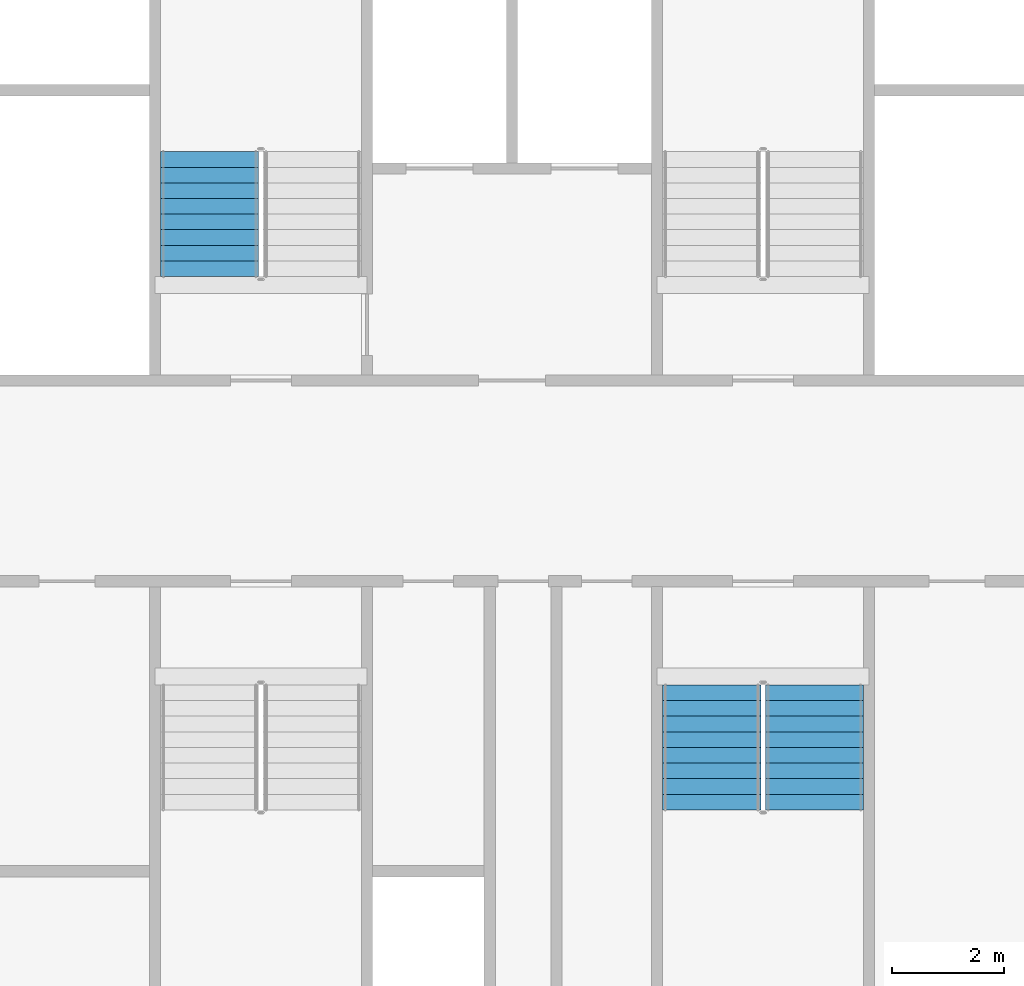
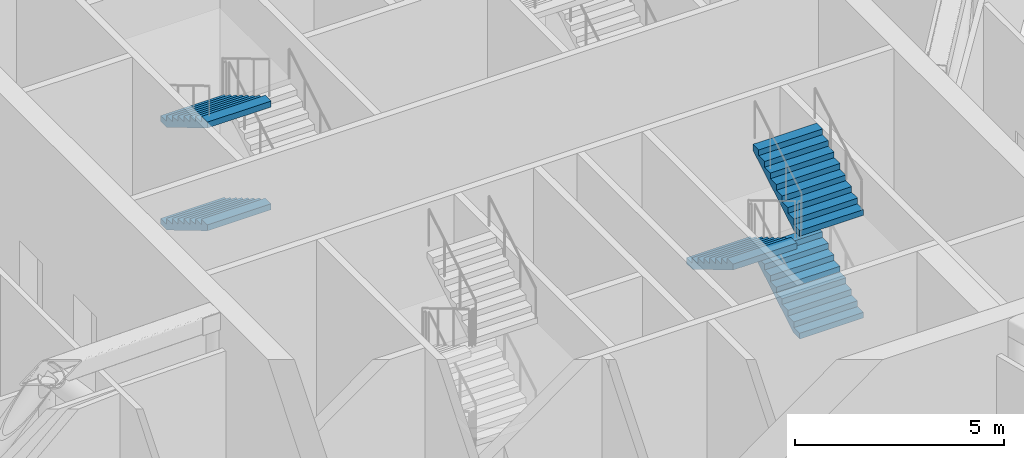
# One storey, part 25 of 33: 5 stair flights, 2 elements without a shape of their own.
"""IFC4 building model written with IfcOpenShell, lengths in metres."""

from ifc_helpers import new_model, si_unit, direction, frame, origin, place, context, subcontext, project, spatial, faceted_brep, material, type_object, element, aggregate, save


model = new_model("IFC4")

# Units and contexts
model_context = context("Model", 3, precision=1e-05, world=origin(), true_north=direction((0.0, 1.0)))
body_context = subcontext(model_context, "Body", "Model", "MODEL_VIEW")
ifc_project = project(units=[si_unit("LENGTHUNIT", "METRE"), si_unit("AREAUNIT", "SQUARE_METRE"), si_unit("VOLUMEUNIT", "CUBIC_METRE"), si_unit("PLANEANGLEUNIT", "RADIAN"), si_unit("MASSUNIT", "GRAM", prefix="KILO")], contexts=[model_context])

# Site, building, storey
site_placement = place(None, origin())
site = spatial("IfcSite", under=ifc_project, at=site_placement, CompositionType="ELEMENT")
building_placement = place(site_placement, origin())
building = spatial("IfcBuilding", under=site, at=building_placement, Name="Tarsis Ring Headquarters", CompositionType="ELEMENT")
storey_placement = place(building_placement, frame((0.0, 0.0, 302.0)))
storey = spatial("IfcBuildingStorey", under=building, at=storey_placement, Name="L71", CompositionType="ELEMENT", Elevation=302.0)

# Stair, stair flights
ifc_material_1 = material(Name="Core stair 1760")
stair_type = type_object("IfcStairType", Name="Core stair 1760", PredefinedType="HALF_TURN_STAIR", material=ifc_material_1)
stair_1_placement = place(storey_placement, origin())
stair_1 = element("IfcStair", 1, at=stair_1_placement, inside=storey, type_object=stair_type, Name="L71 Firefighting stair", PredefinedType="HALF_TURN_STAIR")
ifc_material_2 = material(Name="Concrete C40/50", Category="concrete")
stair_flight_type = type_object("IfcStairFlightType", Name="Core stair flight 1760", PredefinedType="STRAIGHT", material=ifc_material_2)
stair_flight_1_placement = place(storey_placement, frame((-5.419921875, 5.89990234375, 1.5), z_axis=(0.0, 0.0, 1.0), x_axis=(0.0, -1.0, 0.0)))
stair_flight_1 = element("IfcStairFlight", 2, at=stair_flight_1_placement, type_object=stair_flight_type, Name="Stair ST1 flight 2", NumberOfRisers=9, NumberOfTreads=8, PredefinedType="STRAIGHT", RiserHeight=0.166666667, TreadLength=0.28, context=body_context, shape_type="Brep", body=[
    faceted_brep([(0.0, 0.8798828125, 0.0), (0.0, 0.8798828125, 0.166748046875), (0.280029296875, 0.8798828125, 0.166748046875), (0.280029296875, 0.8798828125, 0.333251953125), (0.56005859375, 0.8798828125, 0.333251953125), (0.56005859375, 0.8798828125, 0.5), (0.840087890625, 0.8798828125, 0.5), (0.840087890625, 0.8798828125, 0.666748046875), (1.1201171875, 0.8798828125, 0.666748046875), (1.1201171875, 0.8798828125, 0.833251953125), (1.39990234375, 0.8798828125, 0.833251953125), (1.39990234375, 0.8798828125, 1.0), (1.679931640625, 0.8798828125, 1.0), (1.679931640625, 0.8798828125, 1.166748046875), (1.9599609375, 0.8798828125, 1.166748046875), (1.9599609375, 0.8798828125, 1.333251953125), (2.239990234375, 0.8798828125, 1.333251953125), (2.239990234375, 0.8798828125, 1.158935546875), (0.29296875, 0.8798828125, 0.0), (0.29296875, -0.8798828125, 0.0), (2.239990234375, -0.8798828125, 1.158935546875), (2.239990234375, -0.8798828125, 1.333251953125), (1.9599609375, -0.8798828125, 1.333251953125), (1.9599609375, -0.8798828125, 1.166748046875), (1.679931640625, -0.8798828125, 1.166748046875), (1.679931640625, -0.8798828125, 1.0), (1.39990234375, -0.8798828125, 1.0), (1.39990234375, -0.8798828125, 0.833251953125), (1.1201171875, -0.8798828125, 0.833251953125), (1.1201171875, -0.8798828125, 0.666748046875), (0.840087890625, -0.8798828125, 0.666748046875), (0.840087890625, -0.8798828125, 0.5), (0.56005859375, -0.8798828125, 0.5), (0.56005859375, -0.8798828125, 0.333251953125), (0.280029296875, -0.8798828125, 0.333251953125), (0.280029296875, -0.8798828125, 0.166748046875), (0.0, -0.8798828125, 0.166748046875), (0.0, -0.8798828125, 0.0), (0.0, -0.43994140625, 0.166748046875), (0.0, -0.43994140625, 0.0), (0.0, 0.0, 0.166748046875), (0.0, 0.0, 0.0), (0.0, 0.43994140625, 0.166748046875), (0.0, 0.43994140625, 0.0), (0.280029296875, -0.43994140625, 0.166748046875), (0.280029296875, 0.0, 0.166748046875), (0.280029296875, 0.43994140625, 0.166748046875), (0.280029296875, -0.43994140625, 0.333251953125), (0.280029296875, 0.0, 0.333251953125), (0.280029296875, 0.43994140625, 0.333251953125), (0.56005859375, -0.43994140625, 0.333251953125), (0.56005859375, 0.0, 0.333251953125), (0.56005859375, 0.43994140625, 0.333251953125), (0.56005859375, -0.43994140625, 0.5), (0.56005859375, 0.0, 0.5), (0.56005859375, 0.43994140625, 0.5), (0.840087890625, -0.43994140625, 0.5), (0.840087890625, 0.0, 0.5), (0.840087890625, 0.43994140625, 0.5), (0.840087890625, -0.43994140625, 0.666748046875), (0.840087890625, 0.0, 0.666748046875), (0.840087890625, 0.43994140625, 0.666748046875), (1.1201171875, -0.43994140625, 0.666748046875), (1.1201171875, 0.0, 0.666748046875), (1.1201171875, 0.43994140625, 0.666748046875), (1.1201171875, -0.43994140625, 0.833251953125), (1.1201171875, 0.0, 0.833251953125), (1.1201171875, 0.43994140625, 0.833251953125), (1.39990234375, -0.43994140625, 0.833251953125), (1.39990234375, 0.0, 0.833251953125), (1.39990234375, 0.43994140625, 0.833251953125), (1.39990234375, -0.43994140625, 1.0), (1.39990234375, 0.0, 1.0), (1.39990234375, 0.43994140625, 1.0), (1.679931640625, -0.43994140625, 1.0), (1.679931640625, 0.0, 1.0), (1.679931640625, 0.43994140625, 1.0), (1.679931640625, -0.43994140625, 1.166748046875), (1.679931640625, 0.0, 1.166748046875), (1.679931640625, 0.43994140625, 1.166748046875), (1.9599609375, -0.43994140625, 1.166748046875), (1.9599609375, 0.0, 1.166748046875), (1.9599609375, 0.43994140625, 1.166748046875), (1.9599609375, -0.43994140625, 1.333251953125), (1.9599609375, 0.0, 1.333251953125), (1.9599609375, 0.43994140625, 1.333251953125), (2.239990234375, -0.43994140625, 1.333251953125), (2.239990234375, 0.0, 1.333251953125), (2.239990234375, 0.43994140625, 1.333251953125), (2.239990234375, -0.43994140625, 1.158935546875), (2.239990234375, 0.0, 1.158935546875), (2.239990234375, 0.43994140625, 1.158935546875), (0.29296875, -0.43994140625, 0.0), (0.29296875, 0.0, 0.0), (0.29296875, 0.43994140625, 0.0)], [[[0, 1, 2, 3, 4, 5, 6, 7, 8, 9, 10, 11, 12, 13, 14, 15, 16, 17, 18]], [[19, 20, 21, 22, 23, 24, 25, 26, 27, 28, 29, 30, 31, 32, 33, 34, 35, 36, 37]], [[37, 36, 38, 39]], [[39, 38, 40, 41]], [[41, 40, 42, 43]], [[43, 42, 1, 0]], [[36, 35, 44, 38]], [[38, 44, 45, 40]], [[40, 45, 46, 42]], [[42, 46, 2, 1]], [[35, 34, 47, 44]], [[44, 47, 48, 45]], [[45, 48, 49, 46]], [[46, 49, 3, 2]], [[34, 33, 50, 47]], [[47, 50, 51, 48]], [[48, 51, 52, 49]], [[49, 52, 4, 3]], [[33, 32, 53, 50]], [[50, 53, 54, 51]], [[51, 54, 55, 52]], [[52, 55, 5, 4]], [[32, 31, 56, 53]], [[53, 56, 57, 54]], [[54, 57, 58, 55]], [[55, 58, 6, 5]], [[31, 30, 59, 56]], [[56, 59, 60, 57]], [[57, 60, 61, 58]], [[58, 61, 7, 6]], [[30, 29, 62, 59]], [[59, 62, 63, 60]], [[60, 63, 64, 61]], [[61, 64, 8, 7]], [[29, 28, 65, 62]], [[62, 65, 66, 63]], [[63, 66, 67, 64]], [[64, 67, 9, 8]], [[28, 27, 68, 65]], [[65, 68, 69, 66]], [[66, 69, 70, 67]], [[67, 70, 10, 9]], [[27, 26, 71, 68]], [[68, 71, 72, 69]], [[69, 72, 73, 70]], [[70, 73, 11, 10]], [[26, 25, 74, 71]], [[71, 74, 75, 72]], [[72, 75, 76, 73]], [[73, 76, 12, 11]], [[25, 24, 77, 74]], [[74, 77, 78, 75]], [[75, 78, 79, 76]], [[76, 79, 13, 12]], [[24, 23, 80, 77]], [[77, 80, 81, 78]], [[78, 81, 82, 79]], [[79, 82, 14, 13]], [[23, 22, 83, 80]], [[80, 83, 84, 81]], [[81, 84, 85, 82]], [[82, 85, 15, 14]], [[22, 21, 86, 83]], [[83, 86, 87, 84]], [[84, 87, 88, 85]], [[85, 88, 16, 15]], [[21, 20, 89, 86]], [[86, 89, 90, 87]], [[87, 90, 91, 88]], [[88, 91, 17, 16]], [[20, 19, 92, 89]], [[89, 92, 93, 90]], [[90, 93, 94, 91]], [[91, 94, 18, 17]], [[19, 37, 39, 92]], [[92, 39, 41, 93]], [[93, 41, 43, 94]], [[94, 43, 0, 18]]]),
])
stair_flight_2_placement = place(storey_placement, frame((-5.419921875, 5.89990234375, 4.5), z_axis=(0.0, 0.0, 1.0), x_axis=(0.0, -1.0, 0.0)))
stair_flight_2 = element("IfcStairFlight", 3, at=stair_flight_2_placement, type_object=stair_flight_type, Name="Stair ST1 flight 4", NumberOfRisers=9, NumberOfTreads=8, PredefinedType="STRAIGHT", RiserHeight=0.166666667, TreadLength=0.28, context=body_context, shape_type="Brep", body=[
    faceted_brep([(0.0, 0.8798828125, 0.0), (0.0, 0.8798828125, 0.166748046875), (0.280029296875, 0.8798828125, 0.166748046875), (0.280029296875, 0.8798828125, 0.333251953125), (0.56005859375, 0.8798828125, 0.333251953125), (0.56005859375, 0.8798828125, 0.5), (0.840087890625, 0.8798828125, 0.5), (0.840087890625, 0.8798828125, 0.666748046875), (1.1201171875, 0.8798828125, 0.666748046875), (1.1201171875, 0.8798828125, 0.833251953125), (1.39990234375, 0.8798828125, 0.833251953125), (1.39990234375, 0.8798828125, 1.0), (1.679931640625, 0.8798828125, 1.0), (1.679931640625, 0.8798828125, 1.166748046875), (1.9599609375, 0.8798828125, 1.166748046875), (1.9599609375, 0.8798828125, 1.333251953125), (2.239990234375, 0.8798828125, 1.333251953125), (2.239990234375, 0.8798828125, 1.158935546875), (0.29296875, 0.8798828125, 0.0), (0.29296875, -0.8798828125, 0.0), (2.239990234375, -0.8798828125, 1.158935546875), (2.239990234375, -0.8798828125, 1.333251953125), (1.9599609375, -0.8798828125, 1.333251953125), (1.9599609375, -0.8798828125, 1.166748046875), (1.679931640625, -0.8798828125, 1.166748046875), (1.679931640625, -0.8798828125, 1.0), (1.39990234375, -0.8798828125, 1.0), (1.39990234375, -0.8798828125, 0.833251953125), (1.1201171875, -0.8798828125, 0.833251953125), (1.1201171875, -0.8798828125, 0.666748046875), (0.840087890625, -0.8798828125, 0.666748046875), (0.840087890625, -0.8798828125, 0.5), (0.56005859375, -0.8798828125, 0.5), (0.56005859375, -0.8798828125, 0.333251953125), (0.280029296875, -0.8798828125, 0.333251953125), (0.280029296875, -0.8798828125, 0.166748046875), (0.0, -0.8798828125, 0.166748046875), (0.0, -0.8798828125, 0.0), (0.0, -0.43994140625, 0.166748046875), (0.0, -0.43994140625, 0.0), (0.0, 0.0, 0.166748046875), (0.0, 0.0, 0.0), (0.0, 0.43994140625, 0.166748046875), (0.0, 0.43994140625, 0.0), (0.280029296875, -0.43994140625, 0.166748046875), (0.280029296875, 0.0, 0.166748046875), (0.280029296875, 0.43994140625, 0.166748046875), (0.280029296875, -0.43994140625, 0.333251953125), (0.280029296875, 0.0, 0.333251953125), (0.280029296875, 0.43994140625, 0.333251953125), (0.56005859375, -0.43994140625, 0.333251953125), (0.56005859375, 0.0, 0.333251953125), (0.56005859375, 0.43994140625, 0.333251953125), (0.56005859375, -0.43994140625, 0.5), (0.56005859375, 0.0, 0.5), (0.56005859375, 0.43994140625, 0.5), (0.840087890625, -0.43994140625, 0.5), (0.840087890625, 0.0, 0.5), (0.840087890625, 0.43994140625, 0.5), (0.840087890625, -0.43994140625, 0.666748046875), (0.840087890625, 0.0, 0.666748046875), (0.840087890625, 0.43994140625, 0.666748046875), (1.1201171875, -0.43994140625, 0.666748046875), (1.1201171875, 0.0, 0.666748046875), (1.1201171875, 0.43994140625, 0.666748046875), (1.1201171875, -0.43994140625, 0.833251953125), (1.1201171875, 0.0, 0.833251953125), (1.1201171875, 0.43994140625, 0.833251953125), (1.39990234375, -0.43994140625, 0.833251953125), (1.39990234375, 0.0, 0.833251953125), (1.39990234375, 0.43994140625, 0.833251953125), (1.39990234375, -0.43994140625, 1.0), (1.39990234375, 0.0, 1.0), (1.39990234375, 0.43994140625, 1.0), (1.679931640625, -0.43994140625, 1.0), (1.679931640625, 0.0, 1.0), (1.679931640625, 0.43994140625, 1.0), (1.679931640625, -0.43994140625, 1.166748046875), (1.679931640625, 0.0, 1.166748046875), (1.679931640625, 0.43994140625, 1.166748046875), (1.9599609375, -0.43994140625, 1.166748046875), (1.9599609375, 0.0, 1.166748046875), (1.9599609375, 0.43994140625, 1.166748046875), (1.9599609375, -0.43994140625, 1.333251953125), (1.9599609375, 0.0, 1.333251953125), (1.9599609375, 0.43994140625, 1.333251953125), (2.239990234375, -0.43994140625, 1.333251953125), (2.239990234375, 0.0, 1.333251953125), (2.239990234375, 0.43994140625, 1.333251953125), (2.239990234375, -0.43994140625, 1.158935546875), (2.239990234375, 0.0, 1.158935546875), (2.239990234375, 0.43994140625, 1.158935546875), (0.29296875, -0.43994140625, 0.0), (0.29296875, 0.0, 0.0), (0.29296875, 0.43994140625, 0.0)], [[[0, 1, 2, 3, 4, 5, 6, 7, 8, 9, 10, 11, 12, 13, 14, 15, 16, 17, 18]], [[19, 20, 21, 22, 23, 24, 25, 26, 27, 28, 29, 30, 31, 32, 33, 34, 35, 36, 37]], [[37, 36, 38, 39]], [[39, 38, 40, 41]], [[41, 40, 42, 43]], [[43, 42, 1, 0]], [[36, 35, 44, 38]], [[38, 44, 45, 40]], [[40, 45, 46, 42]], [[42, 46, 2, 1]], [[35, 34, 47, 44]], [[44, 47, 48, 45]], [[45, 48, 49, 46]], [[46, 49, 3, 2]], [[34, 33, 50, 47]], [[47, 50, 51, 48]], [[48, 51, 52, 49]], [[49, 52, 4, 3]], [[33, 32, 53, 50]], [[50, 53, 54, 51]], [[51, 54, 55, 52]], [[52, 55, 5, 4]], [[32, 31, 56, 53]], [[53, 56, 57, 54]], [[54, 57, 58, 55]], [[55, 58, 6, 5]], [[31, 30, 59, 56]], [[56, 59, 60, 57]], [[57, 60, 61, 58]], [[58, 61, 7, 6]], [[30, 29, 62, 59]], [[59, 62, 63, 60]], [[60, 63, 64, 61]], [[61, 64, 8, 7]], [[29, 28, 65, 62]], [[62, 65, 66, 63]], [[63, 66, 67, 64]], [[64, 67, 9, 8]], [[28, 27, 68, 65]], [[65, 68, 69, 66]], [[66, 69, 70, 67]], [[67, 70, 10, 9]], [[27, 26, 71, 68]], [[68, 71, 72, 69]], [[69, 72, 73, 70]], [[70, 73, 11, 10]], [[26, 25, 74, 71]], [[71, 74, 75, 72]], [[72, 75, 76, 73]], [[73, 76, 12, 11]], [[25, 24, 77, 74]], [[74, 77, 78, 75]], [[75, 78, 79, 76]], [[76, 79, 13, 12]], [[24, 23, 80, 77]], [[77, 80, 81, 78]], [[78, 81, 82, 79]], [[79, 82, 14, 13]], [[23, 22, 83, 80]], [[80, 83, 84, 81]], [[81, 84, 85, 82]], [[82, 85, 15, 14]], [[22, 21, 86, 83]], [[83, 86, 87, 84]], [[84, 87, 88, 85]], [[85, 88, 16, 15]], [[21, 20, 89, 86]], [[86, 89, 90, 87]], [[87, 90, 91, 88]], [[88, 91, 17, 16]], [[20, 19, 92, 89]], [[89, 92, 93, 90]], [[90, 93, 94, 91]], [[91, 94, 18, 17]], [[19, 37, 39, 92]], [[92, 39, 41, 93]], [[93, 41, 43, 94]], [[94, 43, 0, 18]]]),
])
aggregate(stair_1, [stair_flight_1, stair_flight_2])

stair_2_placement = place(storey_placement, origin())
stair_2 = element("IfcStair", 4, at=stair_2_placement, inside=storey, type_object=stair_type, Name="L71 Exit stair D", PredefinedType="HALF_TURN_STAIR")
stair_flight_3_placement = place(storey_placement, frame((5.419921875, -5.89990234375, 1.5), z_axis=(0.0, 0.0, 1.0), x_axis=(0.0, 1.0, 0.0)))
stair_flight_3 = element("IfcStairFlight", 5, at=stair_flight_3_placement, type_object=stair_flight_type, Name="Stair ST4 flight 2", NumberOfRisers=9, NumberOfTreads=8, PredefinedType="STRAIGHT", RiserHeight=0.166666667, TreadLength=0.28, context=body_context, shape_type="Brep", body=[
    faceted_brep([(0.0, 0.8798828125, 0.0), (0.0, 0.8798828125, 0.166748046875), (0.280029296875, 0.8798828125, 0.166748046875), (0.280029296875, 0.8798828125, 0.333251953125), (0.56005859375, 0.8798828125, 0.333251953125), (0.56005859375, 0.8798828125, 0.5), (0.840087890625, 0.8798828125, 0.5), (0.840087890625, 0.8798828125, 0.666748046875), (1.1201171875, 0.8798828125, 0.666748046875), (1.1201171875, 0.8798828125, 0.833251953125), (1.39990234375, 0.8798828125, 0.833251953125), (1.39990234375, 0.8798828125, 1.0), (1.679931640625, 0.8798828125, 1.0), (1.679931640625, 0.8798828125, 1.166748046875), (1.9599609375, 0.8798828125, 1.166748046875), (1.9599609375, 0.8798828125, 1.333251953125), (2.239990234375, 0.8798828125, 1.333251953125), (2.239990234375, 0.8798828125, 1.158935546875), (0.29296875, 0.8798828125, 0.0), (0.29296875, -0.8798828125, 0.0), (2.239990234375, -0.8798828125, 1.158935546875), (2.239990234375, -0.8798828125, 1.333251953125), (1.9599609375, -0.8798828125, 1.333251953125), (1.9599609375, -0.8798828125, 1.166748046875), (1.679931640625, -0.8798828125, 1.166748046875), (1.679931640625, -0.8798828125, 1.0), (1.39990234375, -0.8798828125, 1.0), (1.39990234375, -0.8798828125, 0.833251953125), (1.1201171875, -0.8798828125, 0.833251953125), (1.1201171875, -0.8798828125, 0.666748046875), (0.840087890625, -0.8798828125, 0.666748046875), (0.840087890625, -0.8798828125, 0.5), (0.56005859375, -0.8798828125, 0.5), (0.56005859375, -0.8798828125, 0.333251953125), (0.280029296875, -0.8798828125, 0.333251953125), (0.280029296875, -0.8798828125, 0.166748046875), (0.0, -0.8798828125, 0.166748046875), (0.0, -0.8798828125, 0.0), (0.0, -0.43994140625, 0.166748046875), (0.0, -0.43994140625, 0.0), (0.0, 0.0, 0.166748046875), (0.0, 0.0, 0.0), (0.0, 0.43994140625, 0.166748046875), (0.0, 0.43994140625, 0.0), (0.280029296875, -0.43994140625, 0.166748046875), (0.280029296875, 0.0, 0.166748046875), (0.280029296875, 0.43994140625, 0.166748046875), (0.280029296875, -0.43994140625, 0.333251953125), (0.280029296875, 0.0, 0.333251953125), (0.280029296875, 0.43994140625, 0.333251953125), (0.56005859375, -0.43994140625, 0.333251953125), (0.56005859375, 0.0, 0.333251953125), (0.56005859375, 0.43994140625, 0.333251953125), (0.56005859375, -0.43994140625, 0.5), (0.56005859375, 0.0, 0.5), (0.56005859375, 0.43994140625, 0.5), (0.840087890625, -0.43994140625, 0.5), (0.840087890625, 0.0, 0.5), (0.840087890625, 0.43994140625, 0.5), (0.840087890625, -0.43994140625, 0.666748046875), (0.840087890625, 0.0, 0.666748046875), (0.840087890625, 0.43994140625, 0.666748046875), (1.1201171875, -0.43994140625, 0.666748046875), (1.1201171875, 0.0, 0.666748046875), (1.1201171875, 0.43994140625, 0.666748046875), (1.1201171875, -0.43994140625, 0.833251953125), (1.1201171875, 0.0, 0.833251953125), (1.1201171875, 0.43994140625, 0.833251953125), (1.39990234375, -0.43994140625, 0.833251953125), (1.39990234375, 0.0, 0.833251953125), (1.39990234375, 0.43994140625, 0.833251953125), (1.39990234375, -0.43994140625, 1.0), (1.39990234375, 0.0, 1.0), (1.39990234375, 0.43994140625, 1.0), (1.679931640625, -0.43994140625, 1.0), (1.679931640625, 0.0, 1.0), (1.679931640625, 0.43994140625, 1.0), (1.679931640625, -0.43994140625, 1.166748046875), (1.679931640625, 0.0, 1.166748046875), (1.679931640625, 0.43994140625, 1.166748046875), (1.9599609375, -0.43994140625, 1.166748046875), (1.9599609375, 0.0, 1.166748046875), (1.9599609375, 0.43994140625, 1.166748046875), (1.9599609375, -0.43994140625, 1.333251953125), (1.9599609375, 0.0, 1.333251953125), (1.9599609375, 0.43994140625, 1.333251953125), (2.239990234375, -0.43994140625, 1.333251953125), (2.239990234375, 0.0, 1.333251953125), (2.239990234375, 0.43994140625, 1.333251953125), (2.239990234375, -0.43994140625, 1.158935546875), (2.239990234375, 0.0, 1.158935546875), (2.239990234375, 0.43994140625, 1.158935546875), (0.29296875, -0.43994140625, 0.0), (0.29296875, 0.0, 0.0), (0.29296875, 0.43994140625, 0.0)], [[[0, 1, 2, 3, 4, 5, 6, 7, 8, 9, 10, 11, 12, 13, 14, 15, 16, 17, 18]], [[19, 20, 21, 22, 23, 24, 25, 26, 27, 28, 29, 30, 31, 32, 33, 34, 35, 36, 37]], [[37, 36, 38, 39]], [[39, 38, 40, 41]], [[41, 40, 42, 43]], [[43, 42, 1, 0]], [[36, 35, 44, 38]], [[38, 44, 45, 40]], [[40, 45, 46, 42]], [[42, 46, 2, 1]], [[35, 34, 47, 44]], [[44, 47, 48, 45]], [[45, 48, 49, 46]], [[46, 49, 3, 2]], [[34, 33, 50, 47]], [[47, 50, 51, 48]], [[48, 51, 52, 49]], [[49, 52, 4, 3]], [[33, 32, 53, 50]], [[50, 53, 54, 51]], [[51, 54, 55, 52]], [[52, 55, 5, 4]], [[32, 31, 56, 53]], [[53, 56, 57, 54]], [[54, 57, 58, 55]], [[55, 58, 6, 5]], [[31, 30, 59, 56]], [[56, 59, 60, 57]], [[57, 60, 61, 58]], [[58, 61, 7, 6]], [[30, 29, 62, 59]], [[59, 62, 63, 60]], [[60, 63, 64, 61]], [[61, 64, 8, 7]], [[29, 28, 65, 62]], [[62, 65, 66, 63]], [[63, 66, 67, 64]], [[64, 67, 9, 8]], [[28, 27, 68, 65]], [[65, 68, 69, 66]], [[66, 69, 70, 67]], [[67, 70, 10, 9]], [[27, 26, 71, 68]], [[68, 71, 72, 69]], [[69, 72, 73, 70]], [[70, 73, 11, 10]], [[26, 25, 74, 71]], [[71, 74, 75, 72]], [[72, 75, 76, 73]], [[73, 76, 12, 11]], [[25, 24, 77, 74]], [[74, 77, 78, 75]], [[75, 78, 79, 76]], [[76, 79, 13, 12]], [[24, 23, 80, 77]], [[77, 80, 81, 78]], [[78, 81, 82, 79]], [[79, 82, 14, 13]], [[23, 22, 83, 80]], [[80, 83, 84, 81]], [[81, 84, 85, 82]], [[82, 85, 15, 14]], [[22, 21, 86, 83]], [[83, 86, 87, 84]], [[84, 87, 88, 85]], [[85, 88, 16, 15]], [[21, 20, 89, 86]], [[86, 89, 90, 87]], [[87, 90, 91, 88]], [[88, 91, 17, 16]], [[20, 19, 92, 89]], [[89, 92, 93, 90]], [[90, 93, 94, 91]], [[91, 94, 18, 17]], [[19, 37, 39, 92]], [[92, 39, 41, 93]], [[93, 41, 43, 94]], [[94, 43, 0, 18]]]),
])
stair_flight_4_placement = place(storey_placement, frame((3.580078125, -3.659912109375, 3.0), z_axis=(0.0, 0.0, 1.0), x_axis=(0.0, -1.0, 0.0)))
stair_flight_4 = element("IfcStairFlight", 6, at=stair_flight_4_placement, type_object=stair_flight_type, Name="Stair ST4 flight 3", NumberOfRisers=9, NumberOfTreads=8, PredefinedType="STRAIGHT", RiserHeight=0.166666667, TreadLength=0.28, context=body_context, shape_type="Brep", body=[
    faceted_brep([(0.0, 0.8798828125, 0.0), (0.0, 0.8798828125, 0.166748046875), (0.280029296875, 0.8798828125, 0.166748046875), (0.280029296875, 0.8798828125, 0.333251953125), (0.56005859375, 0.8798828125, 0.333251953125), (0.56005859375, 0.8798828125, 0.5), (0.840087890625, 0.8798828125, 0.5), (0.840087890625, 0.8798828125, 0.666748046875), (1.1201171875, 0.8798828125, 0.666748046875), (1.1201171875, 0.8798828125, 0.833251953125), (1.39990234375, 0.8798828125, 0.833251953125), (1.39990234375, 0.8798828125, 1.0), (1.679931640625, 0.8798828125, 1.0), (1.679931640625, 0.8798828125, 1.166748046875), (1.9599609375, 0.8798828125, 1.166748046875), (1.9599609375, 0.8798828125, 1.333251953125), (2.239990234375, 0.8798828125, 1.333251953125), (2.239990234375, 0.8798828125, 1.158935546875), (0.29296875, 0.8798828125, 0.0), (0.29296875, -0.8798828125, 0.0), (2.239990234375, -0.8798828125, 1.158935546875), (2.239990234375, -0.8798828125, 1.333251953125), (1.9599609375, -0.8798828125, 1.333251953125), (1.9599609375, -0.8798828125, 1.166748046875), (1.679931640625, -0.8798828125, 1.166748046875), (1.679931640625, -0.8798828125, 1.0), (1.39990234375, -0.8798828125, 1.0), (1.39990234375, -0.8798828125, 0.833251953125), (1.1201171875, -0.8798828125, 0.833251953125), (1.1201171875, -0.8798828125, 0.666748046875), (0.840087890625, -0.8798828125, 0.666748046875), (0.840087890625, -0.8798828125, 0.5), (0.56005859375, -0.8798828125, 0.5), (0.56005859375, -0.8798828125, 0.333251953125), (0.280029296875, -0.8798828125, 0.333251953125), (0.280029296875, -0.8798828125, 0.166748046875), (0.0, -0.8798828125, 0.166748046875), (0.0, -0.8798828125, 0.0), (0.0, -0.43994140625, 0.166748046875), (0.0, -0.43994140625, 0.0), (0.0, 0.0, 0.166748046875), (0.0, 0.0, 0.0), (0.0, 0.43994140625, 0.166748046875), (0.0, 0.43994140625, 0.0), (0.280029296875, -0.43994140625, 0.166748046875), (0.280029296875, 0.0, 0.166748046875), (0.280029296875, 0.43994140625, 0.166748046875), (0.280029296875, -0.43994140625, 0.333251953125), (0.280029296875, 0.0, 0.333251953125), (0.280029296875, 0.43994140625, 0.333251953125), (0.56005859375, -0.43994140625, 0.333251953125), (0.56005859375, 0.0, 0.333251953125), (0.56005859375, 0.43994140625, 0.333251953125), (0.56005859375, -0.43994140625, 0.5), (0.56005859375, 0.0, 0.5), (0.56005859375, 0.43994140625, 0.5), (0.840087890625, -0.43994140625, 0.5), (0.840087890625, 0.0, 0.5), (0.840087890625, 0.43994140625, 0.5), (0.840087890625, -0.43994140625, 0.666748046875), (0.840087890625, 0.0, 0.666748046875), (0.840087890625, 0.43994140625, 0.666748046875), (1.1201171875, -0.43994140625, 0.666748046875), (1.1201171875, 0.0, 0.666748046875), (1.1201171875, 0.43994140625, 0.666748046875), (1.1201171875, -0.43994140625, 0.833251953125), (1.1201171875, 0.0, 0.833251953125), (1.1201171875, 0.43994140625, 0.833251953125), (1.39990234375, -0.43994140625, 0.833251953125), (1.39990234375, 0.0, 0.833251953125), (1.39990234375, 0.43994140625, 0.833251953125), (1.39990234375, -0.43994140625, 1.0), (1.39990234375, 0.0, 1.0), (1.39990234375, 0.43994140625, 1.0), (1.679931640625, -0.43994140625, 1.0), (1.679931640625, 0.0, 1.0), (1.679931640625, 0.43994140625, 1.0), (1.679931640625, -0.43994140625, 1.166748046875), (1.679931640625, 0.0, 1.166748046875), (1.679931640625, 0.43994140625, 1.166748046875), (1.9599609375, -0.43994140625, 1.166748046875), (1.9599609375, 0.0, 1.166748046875), (1.9599609375, 0.43994140625, 1.166748046875), (1.9599609375, -0.43994140625, 1.333251953125), (1.9599609375, 0.0, 1.333251953125), (1.9599609375, 0.43994140625, 1.333251953125), (2.239990234375, -0.43994140625, 1.333251953125), (2.239990234375, 0.0, 1.333251953125), (2.239990234375, 0.43994140625, 1.333251953125), (2.239990234375, -0.43994140625, 1.158935546875), (2.239990234375, 0.0, 1.158935546875), (2.239990234375, 0.43994140625, 1.158935546875), (0.29296875, -0.43994140625, 0.0), (0.29296875, 0.0, 0.0), (0.29296875, 0.43994140625, 0.0)], [[[0, 1, 2, 3, 4, 5, 6, 7, 8, 9, 10, 11, 12, 13, 14, 15, 16, 17, 18]], [[19, 20, 21, 22, 23, 24, 25, 26, 27, 28, 29, 30, 31, 32, 33, 34, 35, 36, 37]], [[37, 36, 38, 39]], [[39, 38, 40, 41]], [[41, 40, 42, 43]], [[43, 42, 1, 0]], [[36, 35, 44, 38]], [[38, 44, 45, 40]], [[40, 45, 46, 42]], [[42, 46, 2, 1]], [[35, 34, 47, 44]], [[44, 47, 48, 45]], [[45, 48, 49, 46]], [[46, 49, 3, 2]], [[34, 33, 50, 47]], [[47, 50, 51, 48]], [[48, 51, 52, 49]], [[49, 52, 4, 3]], [[33, 32, 53, 50]], [[50, 53, 54, 51]], [[51, 54, 55, 52]], [[52, 55, 5, 4]], [[32, 31, 56, 53]], [[53, 56, 57, 54]], [[54, 57, 58, 55]], [[55, 58, 6, 5]], [[31, 30, 59, 56]], [[56, 59, 60, 57]], [[57, 60, 61, 58]], [[58, 61, 7, 6]], [[30, 29, 62, 59]], [[59, 62, 63, 60]], [[60, 63, 64, 61]], [[61, 64, 8, 7]], [[29, 28, 65, 62]], [[62, 65, 66, 63]], [[63, 66, 67, 64]], [[64, 67, 9, 8]], [[28, 27, 68, 65]], [[65, 68, 69, 66]], [[66, 69, 70, 67]], [[67, 70, 10, 9]], [[27, 26, 71, 68]], [[68, 71, 72, 69]], [[69, 72, 73, 70]], [[70, 73, 11, 10]], [[26, 25, 74, 71]], [[71, 74, 75, 72]], [[72, 75, 76, 73]], [[73, 76, 12, 11]], [[25, 24, 77, 74]], [[74, 77, 78, 75]], [[75, 78, 79, 76]], [[76, 79, 13, 12]], [[24, 23, 80, 77]], [[77, 80, 81, 78]], [[78, 81, 82, 79]], [[79, 82, 14, 13]], [[23, 22, 83, 80]], [[80, 83, 84, 81]], [[81, 84, 85, 82]], [[82, 85, 15, 14]], [[22, 21, 86, 83]], [[83, 86, 87, 84]], [[84, 87, 88, 85]], [[85, 88, 16, 15]], [[21, 20, 89, 86]], [[86, 89, 90, 87]], [[87, 90, 91, 88]], [[88, 91, 17, 16]], [[20, 19, 92, 89]], [[89, 92, 93, 90]], [[90, 93, 94, 91]], [[91, 94, 18, 17]], [[19, 37, 39, 92]], [[92, 39, 41, 93]], [[93, 41, 43, 94]], [[94, 43, 0, 18]]]),
])
stair_flight_5_placement = place(storey_placement, frame((5.419921875, -5.89990234375, 4.5), z_axis=(0.0, 0.0, 1.0), x_axis=(0.0, 1.0, 0.0)))
stair_flight_5 = element("IfcStairFlight", 7, at=stair_flight_5_placement, type_object=stair_flight_type, Name="Stair ST4 flight 4", NumberOfRisers=9, NumberOfTreads=8, PredefinedType="STRAIGHT", RiserHeight=0.166666667, TreadLength=0.28, context=body_context, shape_type="Brep", body=[
    faceted_brep([(0.0, 0.8798828125, 0.0), (0.0, 0.8798828125, 0.166748046875), (0.280029296875, 0.8798828125, 0.166748046875), (0.280029296875, 0.8798828125, 0.333251953125), (0.56005859375, 0.8798828125, 0.333251953125), (0.56005859375, 0.8798828125, 0.5), (0.840087890625, 0.8798828125, 0.5), (0.840087890625, 0.8798828125, 0.666748046875), (1.1201171875, 0.8798828125, 0.666748046875), (1.1201171875, 0.8798828125, 0.833251953125), (1.39990234375, 0.8798828125, 0.833251953125), (1.39990234375, 0.8798828125, 1.0), (1.679931640625, 0.8798828125, 1.0), (1.679931640625, 0.8798828125, 1.166748046875), (1.9599609375, 0.8798828125, 1.166748046875), (1.9599609375, 0.8798828125, 1.333251953125), (2.239990234375, 0.8798828125, 1.333251953125), (2.239990234375, 0.8798828125, 1.158935546875), (0.29296875, 0.8798828125, 0.0), (0.29296875, -0.8798828125, 0.0), (2.239990234375, -0.8798828125, 1.158935546875), (2.239990234375, -0.8798828125, 1.333251953125), (1.9599609375, -0.8798828125, 1.333251953125), (1.9599609375, -0.8798828125, 1.166748046875), (1.679931640625, -0.8798828125, 1.166748046875), (1.679931640625, -0.8798828125, 1.0), (1.39990234375, -0.8798828125, 1.0), (1.39990234375, -0.8798828125, 0.833251953125), (1.1201171875, -0.8798828125, 0.833251953125), (1.1201171875, -0.8798828125, 0.666748046875), (0.840087890625, -0.8798828125, 0.666748046875), (0.840087890625, -0.8798828125, 0.5), (0.56005859375, -0.8798828125, 0.5), (0.56005859375, -0.8798828125, 0.333251953125), (0.280029296875, -0.8798828125, 0.333251953125), (0.280029296875, -0.8798828125, 0.166748046875), (0.0, -0.8798828125, 0.166748046875), (0.0, -0.8798828125, 0.0), (0.0, -0.43994140625, 0.166748046875), (0.0, -0.43994140625, 0.0), (0.0, 0.0, 0.166748046875), (0.0, 0.0, 0.0), (0.0, 0.43994140625, 0.166748046875), (0.0, 0.43994140625, 0.0), (0.280029296875, -0.43994140625, 0.166748046875), (0.280029296875, 0.0, 0.166748046875), (0.280029296875, 0.43994140625, 0.166748046875), (0.280029296875, -0.43994140625, 0.333251953125), (0.280029296875, 0.0, 0.333251953125), (0.280029296875, 0.43994140625, 0.333251953125), (0.56005859375, -0.43994140625, 0.333251953125), (0.56005859375, 0.0, 0.333251953125), (0.56005859375, 0.43994140625, 0.333251953125), (0.56005859375, -0.43994140625, 0.5), (0.56005859375, 0.0, 0.5), (0.56005859375, 0.43994140625, 0.5), (0.840087890625, -0.43994140625, 0.5), (0.840087890625, 0.0, 0.5), (0.840087890625, 0.43994140625, 0.5), (0.840087890625, -0.43994140625, 0.666748046875), (0.840087890625, 0.0, 0.666748046875), (0.840087890625, 0.43994140625, 0.666748046875), (1.1201171875, -0.43994140625, 0.666748046875), (1.1201171875, 0.0, 0.666748046875), (1.1201171875, 0.43994140625, 0.666748046875), (1.1201171875, -0.43994140625, 0.833251953125), (1.1201171875, 0.0, 0.833251953125), (1.1201171875, 0.43994140625, 0.833251953125), (1.39990234375, -0.43994140625, 0.833251953125), (1.39990234375, 0.0, 0.833251953125), (1.39990234375, 0.43994140625, 0.833251953125), (1.39990234375, -0.43994140625, 1.0), (1.39990234375, 0.0, 1.0), (1.39990234375, 0.43994140625, 1.0), (1.679931640625, -0.43994140625, 1.0), (1.679931640625, 0.0, 1.0), (1.679931640625, 0.43994140625, 1.0), (1.679931640625, -0.43994140625, 1.166748046875), (1.679931640625, 0.0, 1.166748046875), (1.679931640625, 0.43994140625, 1.166748046875), (1.9599609375, -0.43994140625, 1.166748046875), (1.9599609375, 0.0, 1.166748046875), (1.9599609375, 0.43994140625, 1.166748046875), (1.9599609375, -0.43994140625, 1.333251953125), (1.9599609375, 0.0, 1.333251953125), (1.9599609375, 0.43994140625, 1.333251953125), (2.239990234375, -0.43994140625, 1.333251953125), (2.239990234375, 0.0, 1.333251953125), (2.239990234375, 0.43994140625, 1.333251953125), (2.239990234375, -0.43994140625, 1.158935546875), (2.239990234375, 0.0, 1.158935546875), (2.239990234375, 0.43994140625, 1.158935546875), (0.29296875, -0.43994140625, 0.0), (0.29296875, 0.0, 0.0), (0.29296875, 0.43994140625, 0.0)], [[[0, 1, 2, 3, 4, 5, 6, 7, 8, 9, 10, 11, 12, 13, 14, 15, 16, 17, 18]], [[19, 20, 21, 22, 23, 24, 25, 26, 27, 28, 29, 30, 31, 32, 33, 34, 35, 36, 37]], [[37, 36, 38, 39]], [[39, 38, 40, 41]], [[41, 40, 42, 43]], [[43, 42, 1, 0]], [[36, 35, 44, 38]], [[38, 44, 45, 40]], [[40, 45, 46, 42]], [[42, 46, 2, 1]], [[35, 34, 47, 44]], [[44, 47, 48, 45]], [[45, 48, 49, 46]], [[46, 49, 3, 2]], [[34, 33, 50, 47]], [[47, 50, 51, 48]], [[48, 51, 52, 49]], [[49, 52, 4, 3]], [[33, 32, 53, 50]], [[50, 53, 54, 51]], [[51, 54, 55, 52]], [[52, 55, 5, 4]], [[32, 31, 56, 53]], [[53, 56, 57, 54]], [[54, 57, 58, 55]], [[55, 58, 6, 5]], [[31, 30, 59, 56]], [[56, 59, 60, 57]], [[57, 60, 61, 58]], [[58, 61, 7, 6]], [[30, 29, 62, 59]], [[59, 62, 63, 60]], [[60, 63, 64, 61]], [[61, 64, 8, 7]], [[29, 28, 65, 62]], [[62, 65, 66, 63]], [[63, 66, 67, 64]], [[64, 67, 9, 8]], [[28, 27, 68, 65]], [[65, 68, 69, 66]], [[66, 69, 70, 67]], [[67, 70, 10, 9]], [[27, 26, 71, 68]], [[68, 71, 72, 69]], [[69, 72, 73, 70]], [[70, 73, 11, 10]], [[26, 25, 74, 71]], [[71, 74, 75, 72]], [[72, 75, 76, 73]], [[73, 76, 12, 11]], [[25, 24, 77, 74]], [[74, 77, 78, 75]], [[75, 78, 79, 76]], [[76, 79, 13, 12]], [[24, 23, 80, 77]], [[77, 80, 81, 78]], [[78, 81, 82, 79]], [[79, 82, 14, 13]], [[23, 22, 83, 80]], [[80, 83, 84, 81]], [[81, 84, 85, 82]], [[82, 85, 15, 14]], [[22, 21, 86, 83]], [[83, 86, 87, 84]], [[84, 87, 88, 85]], [[85, 88, 16, 15]], [[21, 20, 89, 86]], [[86, 89, 90, 87]], [[87, 90, 91, 88]], [[88, 91, 17, 16]], [[20, 19, 92, 89]], [[89, 92, 93, 90]], [[90, 93, 94, 91]], [[91, 94, 18, 17]], [[19, 37, 39, 92]], [[92, 39, 41, 93]], [[93, 41, 43, 94]], [[94, 43, 0, 18]]]),
])
aggregate(stair_2, [stair_flight_3, stair_flight_4, stair_flight_5])

save(model, "model.ifc")
